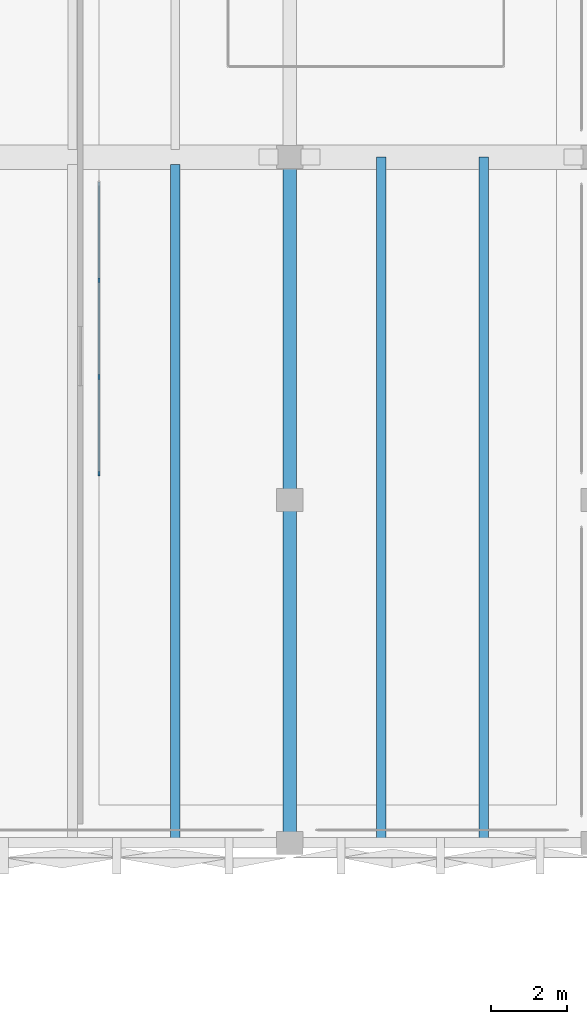
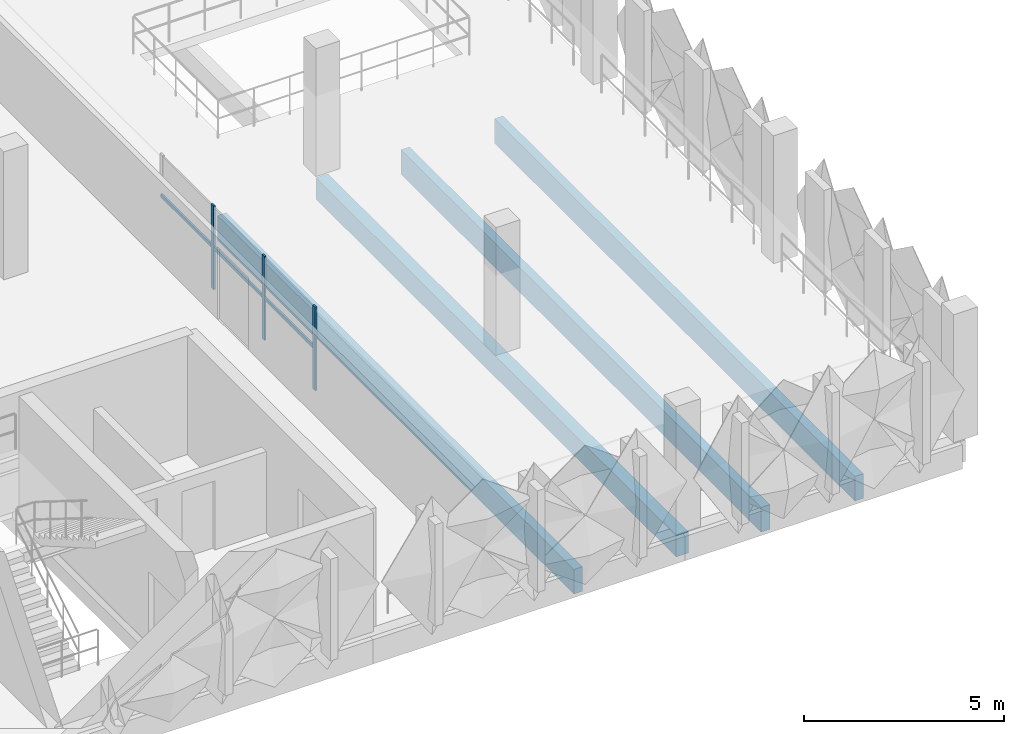
# One storey, part 11 of 52: 4 beams, 4 members, 1 element without a shape of its own.
"""IFC4 building model written with IfcOpenShell, lengths in metres."""

from ifc_helpers import new_model, si_unit, derived_unit, direction, frame, origin, origin_2d, place, context, subcontext, project, spatial, rectangle, extrude, material, layer, layer_set, material_profile, profile_set, type_object, element, aggregate, save


model = new_model("IFC4")

# Units and contexts
model_context = context("Model", 3, precision=1e-05, world=origin(), true_north=direction((0.0, 1.0)))
body_context = subcontext(model_context, "Body", "Model", "MODEL_VIEW")
ifc_project = project(units=[si_unit("LENGTHUNIT", "METRE"), si_unit("AREAUNIT", "SQUARE_METRE"), si_unit("VOLUMEUNIT", "CUBIC_METRE"), si_unit("PLANEANGLEUNIT", "RADIAN"), si_unit("MASSUNIT", "GRAM", prefix="KILO"), si_unit("THERMODYNAMICTEMPERATUREUNIT", "KELVIN"), derived_unit("THERMALTRANSMITTANCEUNIT", [(si_unit("POWERUNIT", "WATT"), 1), (si_unit("AREAUNIT", "SQUARE_METRE"), -1), (si_unit("THERMODYNAMICTEMPERATUREUNIT", "KELVIN"), -1)])], contexts=[model_context])

# Site, building, storey
site_placement = place(None, origin())
site = spatial("IfcSite", under=ifc_project, at=site_placement, CompositionType="ELEMENT")
building_placement = place(site_placement, origin())
building = spatial("IfcBuilding", under=site, at=building_placement, Name="Haiyu Intermodal Mobility Hub", CompositionType="ELEMENT")
storey_placement = place(building_placement, frame((0.0, 0.0, 21.199951171875)))
storey = spatial("IfcBuildingStorey", under=building, at=storey_placement, Name="L05", CompositionType="ELEMENT", Elevation=21.199951171875)

# Beams
ifc_material_1 = material(Name="Concrete C40", Category="concrete")
ifc_material_profile_1 = material_profile(ifc_material_1, rectangle(XDim=0.35009765625, YDim=0.64990234375, at=origin_2d()), Name="RCB350x650")
ifc_profile_set_1 = profile_set([ifc_material_profile_1], Name="Concrete C40")
beam_type_1 = type_object("IfcBeamType", Name="BM-CB04", PredefinedType="BEAM", material=ifc_profile_set_1)
beam_1_placement = place(storey_placement, frame((138.0, 104.0, -0.599853515625), z_axis=(0.0, 1.0, 0.0), x_axis=(-1.0, 0.0, 0.0)))
element("IfcBeam", 1, at=beam_1_placement, inside=storey, type_object=beam_type_1, Name="BM-V4E-L05-036", PredefinedType="BEAM", context=body_context, shape_type="SweptSolid", body=[
    extrude(rectangle(XDim=0.35009765625, YDim=0.64990234375, at=origin_2d()), origin(), (0.0, 0.0, 1.0), 18.0),
])
ifc_material_2 = material(Name="Precast concrete C50", Category="concrete")
ifc_material_profile_2 = material_profile(ifc_material_2, rectangle(XDim=0.25, YDim=0.75, at=origin_2d()), Name="B250x750")
ifc_profile_set_2 = profile_set([ifc_material_profile_2], Name="Precast concrete C50")
beam_type_2 = type_object("IfcBeamType", Name="BM-DT05", PredefinedType="JOIST", material=ifc_profile_set_2)
beam_2_placement = place(storey_placement, frame((135.0, 104.0, -0.64990234375), z_axis=(0.0, 1.0, 0.0), x_axis=(-1.0, 0.0, 0.0)))
element("IfcBeam", 2, at=beam_2_placement, inside=storey, type_object=beam_type_2, Name="BM-DT-L05-080", PredefinedType="JOIST", context=body_context, shape_type="SweptSolid", body=[
    extrude(rectangle(XDim=0.25, YDim=0.75, at=origin_2d()), origin(), (0.0, 0.0, 1.0), 17.804931640625),
])
for number, where, z_axis, x_axis, name in (
    (3, (140.39990234375, 104.0, -0.64990234375), (0.0, 1.0, 0.0), (-1.0, 0.0, 0.0), "BM-DT-L05-083"),
    (4, (143.10009765625, 104.0, -0.64990234375), (0.0, 1.0, 0.0), (-1.0, 0.0, 0.0), "BM-DT-L05-085"),
):
    element("IfcBeam", number, at=place(storey_placement, frame(where, z_axis=z_axis, x_axis=x_axis)), inside=storey, type_object=beam_type_2, Name=name, PredefinedType="JOIST", context=body_context, shape_type="SweptSolid", body=[
        extrude(rectangle(XDim=0.25, YDim=0.75, at=origin_2d()), origin(), (0.0, 0.0, 1.0), 18.0),
    ])

# Curtain wall, members
ifc_material_3 = material(Name="Low-e laminated insulating glass", Category="glass")
ifc_layer = layer(ifc_material_3, 0.179931640625)
ifc_layer_set = layer_set([ifc_layer], Name="Low-e laminated insulating glass")
curtain_wall_type = type_object("IfcCurtainWallType", Name="CW-CW06", PredefinedType="NOTDEFINED", material=ifc_layer_set)
curtain_wall_placement = place(storey_placement, origin())
curtain_wall = element("IfcCurtainWall", 5, at=curtain_wall_placement, inside=storey, type_object=curtain_wall_type, Name="Curtain Wall CW-INT-07", PredefinedType="NOTDEFINED")
ifc_material_4 = material(Name="Anodised aluminium 6063-T6", Category="aluminium")
ifc_material_profile_3 = material_profile(ifc_material_4, rectangle(XDim=0.054931640625, YDim=0.125, at=origin_2d()), Name="ALU55x125")
ifc_profile_set_3 = profile_set([ifc_material_profile_3], Name="Anodised aluminium 6063-T6")
member_type_1 = type_object("IfcMemberType", Name="CWM-ML04", PredefinedType="MULLION", material=ifc_profile_set_3)
member_1_placement = place(storey_placement, frame((133.0, 113.68994140625, 0.0), z_axis=(0.0, 0.0, 1.0), x_axis=(1.0, 0.0, 0.0)))
member_1 = element("IfcMember", 6, at=member_1_placement, type_object=member_type_1, Name="CW-INT-07-ML01", PredefinedType="MULLION", context=body_context, shape_type="SweptSolid", body=[
    extrude(rectangle(XDim=0.054931640625, YDim=0.125, at=origin_2d()), origin(), (0.0, 0.0, 1.0), 2.550048828125),
])
member_2_placement = place(storey_placement, frame((133.0, 116.22998046875, 0.0), z_axis=(0.0, 0.0, 1.0), x_axis=(1.0, 0.0, 0.0)))
member_2 = element("IfcMember", 7, at=member_2_placement, type_object=member_type_1, Name="CW-INT-07-ML02", PredefinedType="MULLION", context=body_context, shape_type="SweptSolid", body=[
    extrude(rectangle(XDim=0.054931640625, YDim=0.125, at=origin_2d()), origin(), (0.0, 0.0, 1.0), 2.550048828125),
])
member_3_placement = place(storey_placement, frame((133.0, 118.77001953125, 0.0), z_axis=(0.0, 0.0, 1.0), x_axis=(1.0, 0.0, 0.0)))
member_3 = element("IfcMember", 8, at=member_3_placement, type_object=member_type_1, Name="CW-INT-07-ML03", PredefinedType="MULLION", context=body_context, shape_type="SweptSolid", body=[
    extrude(rectangle(XDim=0.054931640625, YDim=0.125, at=origin_2d()), origin(), (0.0, 0.0, 1.0), 2.550048828125),
])
ifc_material_profile_4 = material_profile(ifc_material_4, rectangle(XDim=0.054931640625, YDim=0.10009765625, at=origin_2d()), Name="ALU55x100")
ifc_profile_set_4 = profile_set([ifc_material_profile_4], Name="Anodised aluminium 6063-T6")
member_type_2 = type_object("IfcMemberType", Name="CWM-TR04", PredefinedType="USERDEFINED", material=ifc_profile_set_4)
member_4_placement = place(storey_placement, frame((133.0, 113.64990234375, 1.275146484375), z_axis=(0.0, 1.0, 0.0), x_axis=(-1.0, 0.0, 0.0)))
member_4 = element("IfcMember", 9, at=member_4_placement, type_object=member_type_2, Name="CW-INT-07-TR01", ObjectType="TRANSOM", PredefinedType="USERDEFINED", context=body_context, shape_type="SweptSolid", body=[
    extrude(rectangle(XDim=0.054931640625, YDim=0.10009765625, at=origin_2d()), origin(), (0.0, 0.0, 1.0), 7.7001953125),
])
aggregate(curtain_wall, [member_1, member_2, member_3, member_4])

save(model, "model.ifc")
